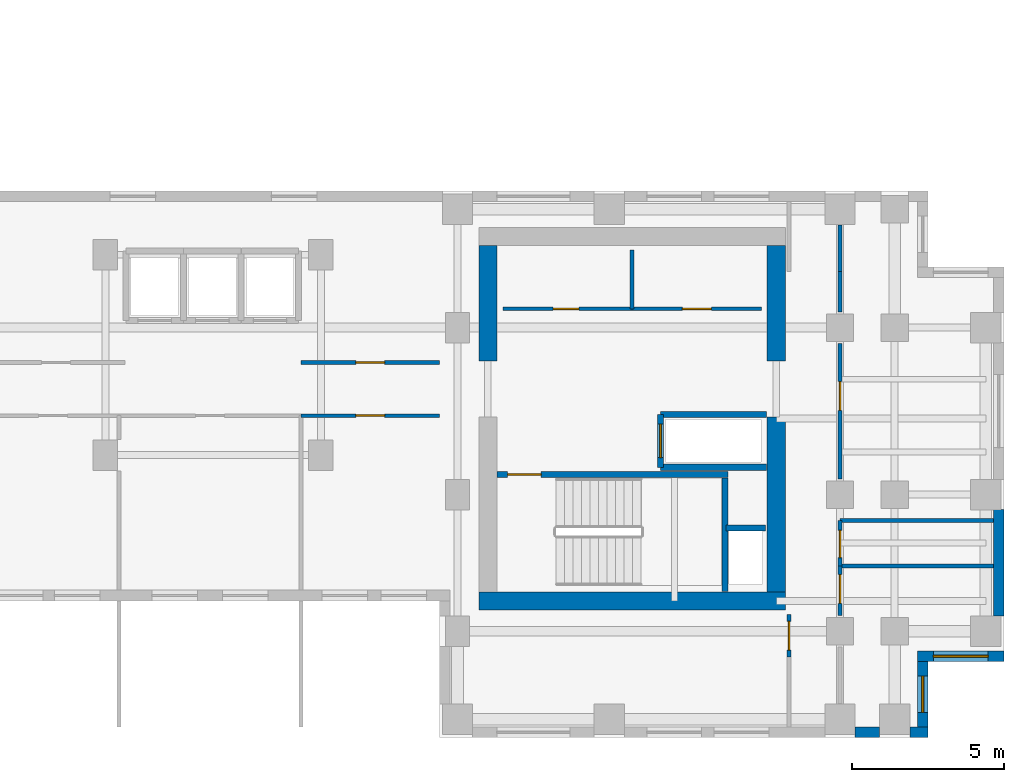
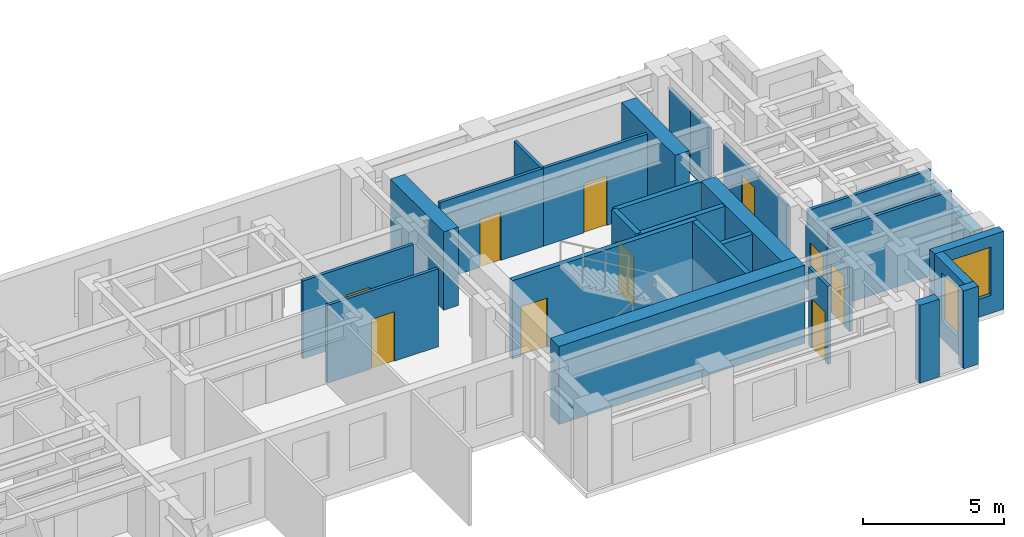
# One storey, part 7 of 11: 28 walls, 10 doors, 2 windows, 12 openings.
"""IFC4 building model written with IfcOpenShell, lengths in metres."""

from ifc_helpers import new_model, si_unit, direction, frame, frame_2d, origin, place, context, subcontext, project, spatial, rectangle, extrude, source, transform, mapped, material, layer, layer_set, type_object, element, fill, save


model = new_model("IFC4")

# Units and contexts
model_context = context("Model", 3, precision=1e-05, world=origin(), true_north=direction((0.0, 1.0)))
body_context = subcontext(model_context, "Body", "Model", "MODEL_VIEW")
ifc_project = project(units=[si_unit("LENGTHUNIT", "METRE"), si_unit("AREAUNIT", "SQUARE_METRE"), si_unit("VOLUMEUNIT", "CUBIC_METRE"), si_unit("PLANEANGLEUNIT", "RADIAN"), si_unit("MASSUNIT", "GRAM", prefix="KILO")], contexts=[model_context])

# Site, building, storey
site_placement = place(None, origin())
site = spatial("IfcSite", under=ifc_project, at=site_placement, CompositionType="ELEMENT")
building_placement = place(site_placement, origin())
building = spatial("IfcBuilding", under=site, at=building_placement, Name="Kharzan Plaza Tower", CompositionType="ELEMENT")
storey_placement = place(building_placement, frame((0.0, 0.0, 150.300048828125)))
storey = spatial("IfcBuildingStorey", under=building, at=storey_placement, Name="L40", CompositionType="ELEMENT", Elevation=150.300048828125)

# Wall, opening, window
ifc_material_1 = material(Name="Concrete C40/50", Category="concrete")
ifc_layer_1 = layer(ifc_material_1, 0.35009765625)
ifc_layer_set_1 = layer_set([ifc_layer_1], Name="Concrete C40/50")
wall_type_1 = type_object("IfcWallType", Name="WL-EXT-MAS-Z3", PredefinedType="SOLIDWALL", material=ifc_layer_set_1)
wall_1_placement = place(storey_placement, frame((50.324951171875, 0.347900390625, 0.0), z_axis=(0.0, 0.0, 1.0), x_axis=(0.0, 1.0, 0.0)))
wall_1 = element("IfcWall", 1, at=wall_1_placement, inside=storey, type_object=wall_type_1, Name="L40 Masonry-Frame Exterior Wall 33", PredefinedType="SOLIDWALL", context=body_context, shape_type="SweptSolid", body=[
    extrude(rectangle(XDim=2.154052734375, YDim=0.35009765625, at=frame_2d((1.0771484375, 0.0))), origin(), (0.0, 0.0, 1.0), 3.385009765625),
])
opening_1_placement = place(wall_1_placement, frame((0.47705078125, 0.0, 0.780029296875)))
opening_1 = element("IfcOpeningElement", 2, at=opening_1_placement, cuts=wall_1, Name="Opening W3", PredefinedType="OPENING", context=body_context, shape_type="SweptSolid", body=[
    extrude(rectangle(XDim=1.199951171875, YDim=2.10009765625, at=frame_2d((0.60009765625, 1.050048828125))), frame((0.0, 0.18505859375, 0.0), z_axis=(0.0, -1.0, 0.0), x_axis=(1.0, 0.0, 0.0)), (0.0, 0.0, 1.0), 0.3701171875),
])
ifc_material_2 = material(Name="Low-E Double Glazing", Category="glass")
window_type_1 = type_object("IfcWindowType", Name="WN-REC-1200x2100", PartitioningType="SINGLE_PANEL", PredefinedType="WINDOW", material=ifc_material_2)
shared_shape_1 = source(origin(), body_context, "Body", "SweptSolid", [
    extrude(rectangle(XDim=1.199951171875, YDim=2.10009765625, at=frame_2d((0.60009765625, 1.050048828125))), frame((0.0, 0.030029296875, 0.0), z_axis=(0.0, -1.0, 0.0), x_axis=(1.0, 0.0, 0.0)), (0.0, 0.0, 1.0), 0.06005859375),
])
window_1_placement = place(opening_1_placement, origin())
window_1 = element("IfcWindow", 3, at=window_1_placement, inside=storey, type_object=window_type_1, Name="L40 Recessed Solar-Control Window 33-1", OverallHeight=2.10009765625, OverallWidth=1.199951171875, PartitioningType="SINGLE_PANEL", PredefinedType="WINDOW", context=body_context, shape_type="MappedRepresentation", body=[
    mapped(shared_shape_1, transform((0.0, 0.0, 0.0), x_axis=(1.0, 0.0, 0.0), y_axis=(0.0, 1.0, 0.0), z_axis=(0.0, 0.0, 1.0))),
])
fill(opening_1, window_1)

wall_2_placement = place(storey_placement, frame((50.14990234375, 2.675048828125, 0.0), z_axis=(0.0, 0.0, 1.0), x_axis=(1.0, 0.0, 0.0)))
wall_2 = element("IfcWall", 4, at=wall_2_placement, inside=storey, type_object=wall_type_1, Name="L40 Masonry-Frame Exterior Wall 34", PredefinedType="SOLIDWALL", context=body_context, shape_type="SweptSolid", body=[
    extrude(rectangle(XDim=2.85009765625, YDim=0.35009765625, at=frame_2d((1.425048828125, 0.0))), origin(), (0.0, 0.0, 1.0), 3.385009765625),
])
opening_2_placement = place(wall_2_placement, frame((0.52490234375, 0.0, 0.780029296875)))
opening_2 = element("IfcOpeningElement", 5, at=opening_2_placement, cuts=wall_2, Name="Opening W1", PredefinedType="OPENING", context=body_context, shape_type="SweptSolid", body=[
    extrude(rectangle(XDim=1.800048828125, YDim=2.10009765625, at=frame_2d((0.89990234375, 1.050048828125))), frame((0.0, 0.18505859375, 0.0), z_axis=(0.0, -1.0, 0.0), x_axis=(1.0, 0.0, 0.0)), (0.0, 0.0, 1.0), 0.3701171875),
])
window_type_2 = type_object("IfcWindowType", Name="WN-REC-1800x2100", PartitioningType="SINGLE_PANEL", PredefinedType="WINDOW", material=ifc_material_2)
shared_shape_2 = source(origin(), body_context, "Body", "SweptSolid", [
    extrude(rectangle(XDim=1.800048828125, YDim=2.10009765625, at=frame_2d((0.89990234375, 1.050048828125))), frame((0.0, 0.030029296875, 0.0), z_axis=(0.0, -1.0, 0.0), x_axis=(1.0, 0.0, 0.0)), (0.0, 0.0, 1.0), 0.06005859375),
])
window_2_placement = place(opening_2_placement, origin())
window_2 = element("IfcWindow", 6, at=window_2_placement, inside=storey, type_object=window_type_2, Name="L40 Recessed Solar-Control Window 34-1", OverallHeight=2.10009765625, OverallWidth=1.800048828125, PartitioningType="SINGLE_PANEL", PredefinedType="WINDOW", context=body_context, shape_type="MappedRepresentation", body=[
    mapped(shared_shape_2, transform((0.0, 0.0, 0.0), x_axis=(1.0, 0.0, 0.0), y_axis=(0.0, 1.0, 0.0), z_axis=(0.0, 0.0, 1.0))),
])
fill(opening_2, window_2)

# Wall, opening, door
ifc_material_3 = material(Name="Fire-Rated Gypsum Board Partition", Category="gypsum")
ifc_layer_2 = layer(ifc_material_3, 0.125)
ifc_layer_set_2 = layer_set([ifc_layer_2], Name="Fire-Rated Gypsum Board Partition")
wall_type_2 = type_object("IfcWallType", Name="WL-INT-PART-125", PredefinedType="PARTITIONING", material=ifc_layer_set_2)
wall_3_placement = place(storey_placement, frame((36.5, 14.1201171875, 0.0), z_axis=(0.0, 0.0, 1.0), x_axis=(1.0, 0.0, 0.0)))
wall_3 = element("IfcWall", 7, at=wall_3_placement, inside=storey, type_object=wall_type_2, Name="L40 Interior Partition CB-RBLS1", PredefinedType="PARTITIONING", context=body_context, shape_type="SweptSolid", body=[
    extrude(rectangle(XDim=4.25, YDim=0.125, at=frame_2d((2.125, 0.0))), origin(), (0.0, 0.0, 1.0), 3.385009765625),
])
opening_3_placement = place(wall_3_placement, frame((1.64990234375, 0.0, 0.0)))
opening_3 = element("IfcOpeningElement", 8, at=opening_3_placement, cuts=wall_3, Name="Opening RD1", PredefinedType="OPENING", context=body_context, shape_type="SweptSolid", body=[
    extrude(rectangle(XDim=0.85009765625, YDim=2.10009765625, at=frame_2d((0.425048828125, 1.050048828125))), frame((0.0, 0.072509765625, 0.0), z_axis=(0.0, -1.0, 0.0), x_axis=(1.0, 0.0, 0.0)), (0.0, 0.0, 1.0), 0.14501953125),
])
ifc_material_4 = material(Name="Powder-Coated Fire-Rated Steel", Category="steel")
door_type_1 = type_object("IfcDoorType", Name="DR-RISER-900", OperationType="NOTDEFINED", PredefinedType="DOOR", material=ifc_material_4)
shared_shape_3 = source(origin(), body_context, "Body", "SweptSolid", [
    extrude(rectangle(XDim=0.85009765625, YDim=2.10009765625, at=frame_2d((0.425048828125, 1.050048828125))), frame((0.0, 0.02490234375, 0.0), z_axis=(0.0, -1.0, 0.0), x_axis=(1.0, 0.0, 0.0)), (0.0, 0.0, 1.0), 0.050048828125),
])
door_1_placement = place(opening_3_placement, origin())
door_1 = element("IfcDoor", 9, at=door_1_placement, inside=storey, type_object=door_type_1, Name="L40 Archive Room Door", OperationType="SINGLE_SWING_RIGHT", OverallHeight=2.10009765625, OverallWidth=0.85009765625, PredefinedType="DOOR", context=body_context, shape_type="MappedRepresentation", body=[
    mapped(shared_shape_3, transform((0.0, 0.0, 0.0), x_axis=(1.0, 0.0, 0.0), y_axis=(0.0, 1.0, 0.0), z_axis=(0.0, 0.0, 1.0))),
])
fill(opening_3, door_1)

wall_4_placement = place(storey_placement, frame((40.75, 14.1201171875, 0.0), z_axis=(0.0, 0.0, 1.0), x_axis=(1.0, 0.0, 0.0)))
wall_4 = element("IfcWall", 10, at=wall_4_placement, inside=storey, type_object=wall_type_2, Name="L40 Interior Partition CB-RBLS2", PredefinedType="PARTITIONING", context=body_context, shape_type="SweptSolid", body=[
    extrude(rectangle(XDim=4.27001953125, YDim=0.125, at=frame_2d((2.135009765625, 0.0))), origin(), (0.0, 0.0, 1.0), 3.385009765625),
])
opening_4_placement = place(wall_4_placement, frame((1.659912109375, 0.0, 0.0)))
opening_4 = element("IfcOpeningElement", 11, at=opening_4_placement, cuts=wall_4, Name="Opening OD1", PredefinedType="OPENING", context=body_context, shape_type="SweptSolid", body=[
    extrude(rectangle(XDim=0.949951171875, YDim=2.14990234375, at=frame_2d((0.47509765625, 1.074951171875))), frame((0.0, 0.072509765625, 0.0), z_axis=(0.0, -1.0, 0.0), x_axis=(1.0, 0.0, 0.0)), (0.0, 0.0, 1.0), 0.14501953125),
])
ifc_material_5 = material(Name="Acoustic Solid-Core Stained Oak", Category="timber")
door_type_2 = type_object("IfcDoorType", Name="DR-OFF-SINGLE", OperationType="NOTDEFINED", PredefinedType="DOOR", material=ifc_material_5)
shared_shape_4 = source(origin(), body_context, "Body", "SweptSolid", [
    extrude(rectangle(XDim=0.949951171875, YDim=2.14990234375, at=frame_2d((0.47509765625, 1.074951171875))), frame((0.0, 0.02490234375, 0.0), z_axis=(0.0, -1.0, 0.0), x_axis=(1.0, 0.0, 0.0)), (0.0, 0.0, 1.0), 0.050048828125),
])
door_2_placement = place(opening_4_placement, origin())
door_2 = element("IfcDoor", 12, at=door_2_placement, inside=storey, type_object=door_type_2, Name="L40 Print Room Door", OperationType="SINGLE_SWING_LEFT", OverallHeight=2.14990234375, OverallWidth=0.949951171875, PredefinedType="DOOR", context=body_context, shape_type="MappedRepresentation", body=[
    mapped(shared_shape_4, transform((0.0, 0.0, 0.0), x_axis=(1.0, 0.0, 0.0), y_axis=(0.0, 1.0, 0.0), z_axis=(0.0, 0.0, 1.0))),
])
fill(opening_4, door_2)

wall_5_placement = place(storey_placement, frame((47.60009765625, 4.02001953125, 0.0), z_axis=(0.0, 0.0, 1.0), x_axis=(0.0, 1.0, 0.0)))
wall_5 = element("IfcWall", 13, at=wall_5_placement, inside=storey, type_object=wall_type_2, Name="L40 Interior Partition SH-B0W0", PredefinedType="PARTITIONING", context=body_context, shape_type="SweptSolid", body=[
    extrude(rectangle(XDim=1.6298828125, YDim=0.125, at=frame_2d((0.81494140625, 0.0))), origin(), (0.0, 0.0, 1.0), 2.77294921875),
])
opening_5_placement = place(wall_5_placement, frame((0.393310546875, 0.0, 0.0)))
opening_5 = element("IfcOpeningElement", 14, at=opening_5_placement, cuts=wall_5, Name="Opening OD1", PredefinedType="OPENING", context=body_context, shape_type="SweptSolid", body=[
    extrude(rectangle(XDim=0.949951171875, YDim=2.14990234375, at=frame_2d((0.47509765625, 1.074951171875))), frame((0.0, 0.072509765625, 0.0), z_axis=(0.0, -1.0, 0.0), x_axis=(1.0, 0.0, 0.0)), (0.0, 0.0, 1.0), 0.14501953125),
])
door_3_placement = place(opening_5_placement, origin())
door_3 = element("IfcDoor", 15, at=door_3_placement, inside=storey, type_object=door_type_2, Name="L40 Wing B South Office Door", OperationType="SINGLE_SWING_RIGHT", OverallHeight=2.14990234375, OverallWidth=0.949951171875, PredefinedType="DOOR", context=body_context, shape_type="MappedRepresentation", body=[
    mapped(shared_shape_4, transform((0.0, 0.0, 0.0), x_axis=(1.0, 0.0, 0.0), y_axis=(0.0, 1.0, 0.0), z_axis=(0.0, 0.0, 1.0))),
])
fill(opening_5, door_3)

wall_6_placement = place(storey_placement, frame((47.60009765625, 8.52001953125, 0.0), z_axis=(0.0, 0.0, 1.0), x_axis=(0.0, 1.0, 0.0)))
wall_6 = element("IfcWall", 16, at=wall_6_placement, inside=storey, type_object=wall_type_2, Name="L40 Interior Partition SH-B0W1-S1", PredefinedType="PARTITIONING", context=body_context, shape_type="SweptSolid", body=[
    extrude(rectangle(XDim=4.4599609375, YDim=0.125, at=frame_2d((2.22998046875, 0.0))), origin(), (0.0, 0.0, 1.0), 2.77294921875),
])
opening_6_placement = place(wall_6_placement, frame((2.2548828125, 0.0, 0.0)))
opening_6 = element("IfcOpeningElement", 17, at=opening_6_placement, cuts=wall_6, Name="Opening OD1", PredefinedType="OPENING", context=body_context, shape_type="SweptSolid", body=[
    extrude(rectangle(XDim=0.949951171875, YDim=2.14990234375, at=frame_2d((0.47509765625, 1.074951171875))), frame((0.0, 0.072509765625, 0.0), z_axis=(0.0, -1.0, 0.0), x_axis=(1.0, 0.0, 0.0)), (0.0, 0.0, 1.0), 0.14501953125),
])
door_4_placement = place(opening_6_placement, origin())
door_4 = element("IfcDoor", 18, at=door_4_placement, inside=storey, type_object=door_type_2, Name="L40 Open Engineering Workspace Door", OperationType="SINGLE_SWING_RIGHT", OverallHeight=2.14990234375, OverallWidth=0.949951171875, PredefinedType="DOOR", context=body_context, shape_type="MappedRepresentation", body=[
    mapped(shared_shape_4, transform((0.0, 0.0, 0.0), x_axis=(1.0, 0.0, 0.0), y_axis=(0.0, 1.0, 0.0), z_axis=(0.0, 0.0, 1.0))),
])
fill(opening_6, door_4)

wall_7_placement = place(storey_placement, frame((47.60009765625, 5.64990234375, 0.0), z_axis=(0.0, 0.0, 1.0), x_axis=(0.0, 1.0, 0.0)))
wall_7 = element("IfcWall", 19, at=wall_7_placement, inside=storey, type_object=wall_type_2, Name="L40 Interior Partition SH-B0WC", PredefinedType="PARTITIONING", context=body_context, shape_type="SweptSolid", body=[
    extrude(rectangle(XDim=1.5, YDim=0.125, at=frame_2d((0.75, 0.0))), origin(), (0.0, 0.0, 1.0), 2.77294921875),
])
opening_7_placement = place(wall_7_placement, frame((0.27490234375, 0.0, 0.0)))
opening_7 = element("IfcOpeningElement", 20, at=opening_7_placement, cuts=wall_7, Name="Opening WD1", PredefinedType="OPENING", context=body_context, shape_type="SweptSolid", body=[
    extrude(rectangle(XDim=0.89990234375, YDim=2.14990234375, at=frame_2d((0.449951171875, 1.074951171875))), frame((0.0, 0.072509765625, 0.0), z_axis=(0.0, -1.0, 0.0), x_axis=(1.0, 0.0, 0.0)), (0.0, 0.0, 1.0), 0.14501953125),
])
ifc_material_6 = material(Name="Moisture-Resistant Fire-Rated Laminate", Category="timber")
door_type_3 = type_object("IfcDoorType", Name="DR-WC-900", OperationType="NOTDEFINED", PredefinedType="DOOR", material=ifc_material_6)
shared_shape_5 = source(origin(), body_context, "Body", "SweptSolid", [
    extrude(rectangle(XDim=0.89990234375, YDim=2.14990234375, at=frame_2d((0.449951171875, 1.074951171875))), frame((0.0, 0.02490234375, 0.0), z_axis=(0.0, -1.0, 0.0), x_axis=(1.0, 0.0, 0.0)), (0.0, 0.0, 1.0), 0.050048828125),
])
door_5_placement = place(opening_7_placement, origin())
door_5 = element("IfcDoor", 21, at=door_5_placement, inside=storey, type_object=door_type_3, Name="L40 Wing B Washroom Door", OperationType="SINGLE_SWING_LEFT", OverallHeight=2.14990234375, OverallWidth=0.89990234375, PredefinedType="DOOR", context=body_context, shape_type="MappedRepresentation", body=[
    mapped(shared_shape_5, transform((0.0, 0.0, 0.0), x_axis=(1.0, 0.0, 0.0), y_axis=(0.0, 1.0, 0.0), z_axis=(0.0, 0.0, 1.0))),
])
fill(opening_7, door_5)

wall_8_placement = place(storey_placement, frame((45.919921875, 2.64990234375, 0.0), z_axis=(0.0, 0.0, 1.0), x_axis=(0.0, 1.0, 0.0)))
wall_8 = element("IfcWall", 22, at=wall_8_placement, inside=storey, type_object=wall_type_2, Name="L40 Interior Partition SH-RBSE", PredefinedType="PARTITIONING", context=body_context, shape_type="SweptSolid", body=[
    extrude(rectangle(XDim=1.400146484375, YDim=0.125, at=frame_2d((0.7001953125, 0.0))), origin(), (0.0, 0.0, 1.0), 3.385009765625),
])
opening_8_placement = place(wall_8_placement, frame((0.22509765625, 0.0, 0.0)))
opening_8 = element("IfcOpeningElement", 23, at=opening_8_placement, cuts=wall_8, Name="Opening OD1", PredefinedType="OPENING", context=body_context, shape_type="SweptSolid", body=[
    extrude(rectangle(XDim=0.949951171875, YDim=2.14990234375, at=frame_2d((0.47509765625, 1.074951171875))), frame((0.0, 0.072509765625, 0.0), z_axis=(0.0, -1.0, 0.0), x_axis=(1.0, 0.0, 0.0)), (0.0, 0.0, 1.0), 0.14501953125),
])
door_6_placement = place(opening_8_placement, origin())
door_6 = element("IfcDoor", 24, at=door_6_placement, inside=storey, type_object=door_type_2, Name="L40 South-East Corner Office Door", OperationType="SINGLE_SWING_LEFT", OverallHeight=2.14990234375, OverallWidth=0.949951171875, PredefinedType="DOOR", context=body_context, shape_type="MappedRepresentation", body=[
    mapped(shared_shape_4, transform((0.0, 0.0, 0.0), x_axis=(1.0, 0.0, 0.0), y_axis=(0.0, 1.0, 0.0), z_axis=(0.0, 0.0, 1.0))),
])
fill(opening_8, door_6)

wall_9_placement = place(storey_placement, frame((29.85009765625, 12.35009765625, 0.0), z_axis=(0.0, 0.0, 1.0), x_axis=(1.0, 0.0, 0.0)))
wall_9 = element("IfcWall", 25, at=wall_9_placement, inside=storey, type_object=wall_type_2, Name="L40 Interior Partition SH-SPNE1", PredefinedType="PARTITIONING", context=body_context, shape_type="SweptSolid", body=[
    extrude(rectangle(XDim=4.5498046875, YDim=0.125, at=frame_2d((2.27490234375, 0.0))), origin(), (0.0, 0.0, 1.0), 3.385009765625),
])
opening_9_placement = place(wall_9_placement, frame((1.800048828125, 0.0, 0.0)))
opening_9 = element("IfcOpeningElement", 26, at=opening_9_placement, cuts=wall_9, Name="Opening OD1", PredefinedType="OPENING", context=body_context, shape_type="SweptSolid", body=[
    extrude(rectangle(XDim=0.949951171875, YDim=2.14990234375, at=frame_2d((0.47509765625, 1.074951171875))), frame((0.0, 0.072509765625, 0.0), z_axis=(0.0, -1.0, 0.0), x_axis=(1.0, 0.0, 0.0)), (0.0, 0.0, 1.0), 0.14501953125),
])
door_7_placement = place(opening_9_placement, origin())
door_7 = element("IfcDoor", 27, at=door_7_placement, inside=storey, type_object=door_type_2, Name="L40 North-East Spine Door", OperationType="SINGLE_SWING_RIGHT", OverallHeight=2.14990234375, OverallWidth=0.949951171875, PredefinedType="DOOR", context=body_context, shape_type="MappedRepresentation", body=[
    mapped(shared_shape_4, transform((0.0, 0.0, 0.0), x_axis=(1.0, 0.0, 0.0), y_axis=(0.0, 1.0, 0.0), z_axis=(0.0, 0.0, 1.0))),
])
fill(opening_9, door_7)

wall_10_placement = place(storey_placement, frame((29.85009765625, 10.60009765625, 0.0), z_axis=(0.0, 0.0, 1.0), x_axis=(1.0, 0.0, 0.0)))
wall_10 = element("IfcWall", 28, at=wall_10_placement, inside=storey, type_object=wall_type_2, Name="L40 Interior Partition SH-SPS3", PredefinedType="PARTITIONING", context=body_context, shape_type="SweptSolid", body=[
    extrude(rectangle(XDim=4.5498046875, YDim=0.125, at=frame_2d((2.27490234375, 0.0))), origin(), (0.0, 0.0, 1.0), 3.385009765625),
])
opening_10_placement = place(wall_10_placement, frame((1.800048828125, 0.0, 0.0)))
opening_10 = element("IfcOpeningElement", 29, at=opening_10_placement, cuts=wall_10, Name="Opening OD1", PredefinedType="OPENING", context=body_context, shape_type="SweptSolid", body=[
    extrude(rectangle(XDim=0.949951171875, YDim=2.14990234375, at=frame_2d((0.47509765625, 1.074951171875))), frame((0.0, 0.072509765625, 0.0), z_axis=(0.0, -1.0, 0.0), x_axis=(1.0, 0.0, 0.0)), (0.0, 0.0, 1.0), 0.14501953125),
])
door_8_placement = place(opening_10_placement, origin())
door_8 = element("IfcDoor", 30, at=door_8_placement, inside=storey, type_object=door_type_2, Name="L40 Spine Studio 3 Door", OperationType="SINGLE_SWING_RIGHT", OverallHeight=2.14990234375, OverallWidth=0.949951171875, PredefinedType="DOOR", context=body_context, shape_type="MappedRepresentation", body=[
    mapped(shared_shape_4, transform((0.0, 0.0, 0.0), x_axis=(1.0, 0.0, 0.0), y_axis=(0.0, 1.0, 0.0), z_axis=(0.0, 0.0, 1.0))),
])
fill(opening_10, door_8)

ifc_layer_3 = layer(ifc_material_1, 0.199951171875)
ifc_layer_set_3 = layer_set([ifc_layer_3], Name="Concrete C40/50")
wall_type_3 = type_object("IfcWallType", Name="WL-INT-SHAFT-200", PredefinedType="PARTITIONING", material=ifc_layer_set_3)
wall_11_placement = place(storey_placement, frame((41.679931640625, 8.89990234375, 0.0), z_axis=(0.0, 0.0, 1.0), x_axis=(0.0, 1.0, 0.0)))
wall_11 = element("IfcWall", 31, at=wall_11_placement, inside=storey, type_object=wall_type_3, Name="L40 Interior Partition SHF-SVL-2-W", PredefinedType="PARTITIONING", context=body_context, shape_type="SweptSolid", body=[
    extrude(rectangle(XDim=1.739990234375, YDim=0.199951171875, at=frame_2d((0.8701171875, 0.0))), origin(), (0.0, 0.0, 1.0), 3.385009765625),
])
opening_11_placement = place(wall_11_placement, frame((0.320068359375, 0.0, 0.0)))
opening_11 = element("IfcOpeningElement", 32, at=opening_11_placement, cuts=wall_11, Name="Opening LD", PredefinedType="OPENING", context=body_context, shape_type="SweptSolid", body=[
    extrude(rectangle(XDim=1.10009765625, YDim=2.199951171875, at=frame_2d((0.550048828125, 1.10009765625))), frame((0.0, 0.10986328125, 0.0), z_axis=(0.0, -1.0, 0.0), x_axis=(1.0, 0.0, 0.0)), (0.0, 0.0, 1.0), 0.219970703125),
])
ifc_material_7 = material(Name="Brushed Stainless Steel", Category="steel")
door_type_4 = type_object("IfcDoorType", Name="DR-LIFT-SLIDE", OperationType="SLIDING_TO_LEFT", PredefinedType="DOOR", material=ifc_material_7)
shared_shape_6 = source(origin(), body_context, "Body", "SweptSolid", [
    extrude(rectangle(XDim=1.10009765625, YDim=2.199951171875, at=frame_2d((0.550048828125, 1.10009765625))), frame((0.0, 0.02490234375, 0.0), z_axis=(0.0, -1.0, 0.0), x_axis=(1.0, 0.0, 0.0)), (0.0, 0.0, 1.0), 0.050048828125),
])
door_9_placement = place(opening_11_placement, origin())
door_9 = element("IfcDoor", 33, at=door_9_placement, inside=storey, type_object=door_type_4, Name="L40 Service Lift SVL-2 Sliding Landing Door", OperationType="SLIDING_TO_LEFT", OverallHeight=2.199951171875, OverallWidth=1.10009765625, PredefinedType="DOOR", context=body_context, shape_type="MappedRepresentation", body=[
    mapped(shared_shape_6, transform((0.0, 0.0, 0.0), x_axis=(1.0, 0.0, 0.0), y_axis=(0.0, 1.0, 0.0), z_axis=(0.0, 0.0, 1.0))),
])
fill(opening_11, door_9)

ifc_material_8 = material(Name="Concrete C50/60", Category="concrete")
ifc_layer_4 = layer(ifc_material_8, 0.199951171875)
ifc_layer_set_4 = layer_set([ifc_layer_4], Name="Concrete C50/60")
wall_type_4 = type_object("IfcWallType", Name="WL-SHAFT-RC200", PredefinedType="SHEAR", material=ifc_layer_set_4)
wall_12_placement = place(storey_placement, frame((36.302001953125, 8.655029296875, 0.0), z_axis=(0.0, 0.0, 1.0), x_axis=(1.0, 0.0, 0.0)))
wall_12 = element("IfcWall", 34, at=wall_12_placement, inside=storey, type_object=wall_type_4, Name="L40 Stair ST-3 North RC Shaft Wall", PredefinedType="SHEAR", context=body_context, shape_type="SweptSolid", body=[
    extrude(rectangle(XDim=7.60302734375, YDim=0.199951171875, at=frame_2d((3.801513671875, 0.0))), origin(), (0.0, 0.0, 1.0), 3.39990234375),
])
opening_12_placement = place(wall_12_placement, frame((0.35009765625, 0.0, 0.0)))
opening_12 = element("IfcOpeningElement", 35, at=opening_12_placement, cuts=wall_12, Name="Opening SD1", PredefinedType="OPENING", context=body_context, shape_type="SweptSolid", body=[
    extrude(rectangle(XDim=1.10009765625, YDim=2.14990234375, at=frame_2d((0.550048828125, 1.074951171875))), frame((0.0, 0.10986328125, 0.0), z_axis=(0.0, -1.0, 0.0), x_axis=(1.0, 0.0, 0.0)), (0.0, 0.0, 1.0), 0.219970703125),
])
ifc_material_9 = material(Name="Fire-Rated Hollow Galvanized Steel", Category="steel")
door_type_5 = type_object("IfcDoorType", Name="DR-STAIR-FD120", OperationType="NOTDEFINED", PredefinedType="DOOR", material=ifc_material_9)
shared_shape_7 = source(origin(), body_context, "Body", "SweptSolid", [
    extrude(rectangle(XDim=1.10009765625, YDim=2.14990234375, at=frame_2d((0.550048828125, 1.074951171875))), frame((0.0, 0.02490234375, 0.0), z_axis=(0.0, -1.0, 0.0), x_axis=(1.0, 0.0, 0.0)), (0.0, 0.0, 1.0), 0.050048828125),
])
door_10_placement = place(opening_12_placement, origin())
door_10 = element("IfcDoor", 36, at=door_10_placement, inside=storey, type_object=door_type_5, Name="L40 Stair ST-3 Fire Exit Door", OperationType="SINGLE_SWING_LEFT", OverallHeight=2.14990234375, OverallWidth=1.10009765625, PredefinedType="DOOR", context=body_context, shape_type="MappedRepresentation", body=[
    mapped(shared_shape_7, transform((0.0, 0.0, 0.0), x_axis=(1.0, 0.0, 0.0), y_axis=(0.0, 1.0, 0.0), z_axis=(0.0, 0.0, 1.0))),
])
fill(opening_12, door_10)

# Walls
ifc_layer_5 = layer(ifc_material_8, 0.60009765625)
ifc_layer_set_5 = layer_set([ifc_layer_5], Name="Concrete C50/60")
wall_type_5 = type_object("IfcWallType", Name="WL-CORE-600", PredefinedType="SHEAR", material=ifc_layer_set_5)
shared_shape_8 = source(origin(), body_context, "Body", "SweptSolid", [
    extrude(rectangle(XDim=5.75, YDim=0.60009765625, at=frame_2d((2.875, 0.0))), origin(), (0.0, 0.0, 1.0), 3.39990234375),
])
wall_13_placement = place(storey_placement, frame((45.5, 4.800048828125, 0.0), z_axis=(0.0, 0.0, 1.0), x_axis=(0.0, 1.0, 0.0)))
element("IfcWall", 37, at=wall_13_placement, inside=storey, type_object=wall_type_5, Name="L40 CORE-B east shear pier 1", PredefinedType="SHEAR", context=body_context, shape_type="MappedRepresentation", body=[
    mapped(shared_shape_8, transform((0.0, 0.0, 0.0), x_axis=(1.0, 0.0, 0.0), y_axis=(0.0, 1.0, 0.0), z_axis=(0.0, 0.0, 1.0))),
])
shared_shape_9 = source(origin(), body_context, "Body", "SweptSolid", [
    extrude(rectangle(XDim=3.800048828125, YDim=0.60009765625, at=frame_2d((1.89990234375, 0.0))), origin(), (0.0, 0.0, 1.0), 3.39990234375),
])
for number, where, z_axis, x_axis, name in (
    (38, (45.5, 12.39990234375, 0.0), (0.0, 0.0, 1.0), (0.0, 1.0, 0.0), "L40 CORE-B east shear pier 2"),
    (39, (36.0, 12.39990234375, 0.0), (0.0, 0.0, 1.0), (0.0, 1.0, 0.0), "L40 CORE-B west shear pier 2"),
):
    element("IfcWall", number, at=place(storey_placement, frame(where, z_axis=z_axis, x_axis=x_axis)), inside=storey, type_object=wall_type_5, Name=name, PredefinedType="SHEAR", context=body_context, shape_type="MappedRepresentation", body=[
        mapped(shared_shape_9, transform((0.0, 0.0, 0.0), x_axis=(1.0, 0.0, 0.0), y_axis=(0.0, 1.0, 0.0), z_axis=(0.0, 0.0, 1.0))),
    ])
shared_shape_10 = source(origin(), body_context, "Body", "SweptSolid", [
    extrude(rectangle(XDim=10.10009765625, YDim=0.60009765625, at=frame_2d((5.050048828125, 0.0))), origin(), (0.0, 0.0, 1.0), 3.39990234375),
])
wall_14_placement = place(storey_placement, frame((35.699951171875, 4.5, 0.0), z_axis=(0.0, 0.0, 1.0), x_axis=(1.0, 0.0, 0.0)))
element("IfcWall", 40, at=wall_14_placement, inside=storey, type_object=wall_type_5, Name="L40 CORE-B south RC shear wall", PredefinedType="SHEAR", context=body_context, shape_type="MappedRepresentation", body=[
    mapped(shared_shape_10, transform((0.0, 0.0, 0.0), x_axis=(1.0, 0.0, 0.0), y_axis=(0.0, 1.0, 0.0), z_axis=(0.0, 0.0, 1.0))),
])
shared_shape_11 = source(origin(), body_context, "Body", "SweptSolid", [
    extrude(rectangle(XDim=0.80419921875, YDim=0.35009765625, at=frame_2d((0.402099609375, 0.0))), origin(), (0.0, 0.0, 1.0), 3.385009765625),
])
wall_15_placement = place(storey_placement, frame((48.097900390625, 0.175048828125, 0.0), z_axis=(0.0, 0.0, 1.0), x_axis=(1.0, 0.0, 0.0)))
element("IfcWall", 41, at=wall_15_placement, inside=storey, type_object=wall_type_1, Name="L40 Masonry-Frame Exterior Wall 31", PredefinedType="SOLIDWALL", context=body_context, shape_type="MappedRepresentation", body=[
    mapped(shared_shape_11, transform((0.0, 0.0, 0.0), x_axis=(1.0, 0.0, 0.0), y_axis=(0.0, 1.0, 0.0), z_axis=(0.0, 0.0, 1.0))),
])
shared_shape_12 = source(origin(), body_context, "Body", "SweptSolid", [
    extrude(rectangle(XDim=0.60205078125, YDim=0.35009765625, at=frame_2d((0.301025390625, 0.0))), origin(), (0.0, 0.0, 1.0), 3.385009765625),
])
wall_16_placement = place(storey_placement, frame((49.89794921875, 0.175048828125, 0.0), z_axis=(0.0, 0.0, 1.0), x_axis=(1.0, 0.0, 0.0)))
element("IfcWall", 42, at=wall_16_placement, inside=storey, type_object=wall_type_1, Name="L40 Masonry-Frame Exterior Wall 32", PredefinedType="SOLIDWALL", context=body_context, shape_type="MappedRepresentation", body=[
    mapped(shared_shape_12, transform((0.0, 0.0, 0.0), x_axis=(1.0, 0.0, 0.0), y_axis=(0.0, 1.0, 0.0), z_axis=(0.0, 0.0, 1.0))),
])
shared_shape_13 = source(origin(), body_context, "Body", "SweptSolid", [
    extrude(rectangle(XDim=1.929931640625, YDim=0.125, at=frame_2d((0.96484375, 0.0))), origin(), (0.0, 0.0, 1.0), 3.385009765625),
])
wall_17_placement = place(storey_placement, frame((40.75, 14.1201171875, 0.0), z_axis=(0.0, 0.0, 1.0), x_axis=(0.0, 1.0, 0.0)))
element("IfcWall", 43, at=wall_17_placement, inside=storey, type_object=wall_type_2, Name="L40 Interior Partition CB-RBLM1", PredefinedType="PARTITIONING", context=body_context, shape_type="MappedRepresentation", body=[
    mapped(shared_shape_13, transform((0.0, 0.0, 0.0), x_axis=(1.0, 0.0, 0.0), y_axis=(0.0, 1.0, 0.0), z_axis=(0.0, 0.0, 1.0))),
])
shared_shape_14 = source(origin(), body_context, "Body", "SweptSolid", [
    extrude(rectangle(XDim=5.0478515625, YDim=0.125, at=frame_2d((2.52392578125, 0.0))), origin(), (0.0, 0.0, 1.0), 3.385009765625),
])
for number, where, z_axis, x_axis, name in (
    (44, (47.60009765625, 5.64990234375, 0.0), (0.0, 0.0, 1.0), (1.0, 0.0, 0.0), "L40 Interior Partition SH-B0H1"),
    (45, (47.60009765625, 7.14990234375, 0.0), (0.0, 0.0, 1.0), (1.0, 0.0, 0.0), "L40 Interior Partition SH-B0H2"),
):
    element("IfcWall", number, at=place(storey_placement, frame(where, z_axis=z_axis, x_axis=x_axis)), inside=storey, type_object=wall_type_2, Name=name, PredefinedType="PARTITIONING", context=body_context, shape_type="MappedRepresentation", body=[
        mapped(shared_shape_14, transform((0.0, 0.0, 0.0), x_axis=(1.0, 0.0, 0.0), y_axis=(0.0, 1.0, 0.0), z_axis=(0.0, 0.0, 1.0))),
    ])
shared_shape_15 = source(origin(), body_context, "Body", "SweptSolid", [
    extrude(rectangle(XDim=1.52978515625, YDim=0.125, at=frame_2d((0.764892578125, 0.0))), origin(), (0.0, 0.0, 1.0), 2.77294921875),
])
wall_18_placement = place(storey_placement, frame((47.60009765625, 15.35009765625, 0.0), z_axis=(0.0, 0.0, 1.0), x_axis=(0.0, 1.0, 0.0)))
element("IfcWall", 46, at=wall_18_placement, inside=storey, type_object=wall_type_2, Name="L40 Interior Partition SH-B0W1N", PredefinedType="PARTITIONING", context=body_context, shape_type="MappedRepresentation", body=[
    mapped(shared_shape_15, transform((0.0, 0.0, 0.0), x_axis=(1.0, 0.0, 0.0), y_axis=(0.0, 1.0, 0.0), z_axis=(0.0, 0.0, 1.0))),
])
shared_shape_16 = source(origin(), body_context, "Body", "SweptSolid", [
    extrude(rectangle(XDim=1.2998046875, YDim=0.199951171875, at=frame_2d((0.64990234375, 0.0))), origin(), (0.0, 0.0, 1.0), 3.385009765625),
])
wall_19_placement = place(storey_placement, frame((43.85009765625, 6.89990234375, 0.0), z_axis=(0.0, 0.0, 1.0), x_axis=(1.0, 0.0, 0.0)))
element("IfcWall", 47, at=wall_19_placement, inside=storey, type_object=wall_type_3, Name="L40 Interior Partition CB-RSRB-N", PredefinedType="PARTITIONING", context=body_context, shape_type="MappedRepresentation", body=[
    mapped(shared_shape_16, transform((0.0, 0.0, 0.0), x_axis=(1.0, 0.0, 0.0), y_axis=(0.0, 1.0, 0.0), z_axis=(0.0, 0.0, 1.0))),
])
shared_shape_17 = source(origin(), body_context, "Body", "SweptSolid", [
    extrude(rectangle(XDim=3.489990234375, YDim=0.199951171875, at=frame_2d((1.7451171875, 0.0))), origin(), (0.0, 0.0, 1.0), 3.385009765625),
])
for number, where, z_axis, x_axis, name in (
    (48, (41.679931640625, 10.639892578125, 0.0), (0.0, 0.0, 1.0), (1.0, 0.0, 0.0), "L40 Interior Partition SHF-SVL-2-N"),
    (49, (41.679931640625, 8.89990234375, 0.0), (0.0, 0.0, 1.0), (1.0, 0.0, 0.0), "L40 Interior Partition SHF-SVL-2-S"),
):
    element("IfcWall", number, at=place(storey_placement, frame(where, z_axis=z_axis, x_axis=x_axis)), inside=storey, type_object=wall_type_3, Name=name, PredefinedType="PARTITIONING", context=body_context, shape_type="MappedRepresentation", body=[
        mapped(shared_shape_17, transform((0.0, 0.0, 0.0), x_axis=(1.0, 0.0, 0.0), y_axis=(0.0, 1.0, 0.0), z_axis=(0.0, 0.0, 1.0))),
    ])
shared_shape_18 = source(origin(), body_context, "Body", "SweptSolid", [
    extrude(rectangle(XDim=3.7529296875, YDim=0.199951171875, at=frame_2d((1.87646484375, 0.0))), origin(), (0.0, 0.0, 1.0), 3.39990234375),
])
wall_20_placement = place(storey_placement, frame((43.804931640625, 4.802001953125, 0.0), z_axis=(0.0, 0.0, 1.0), x_axis=(0.0, 1.0, 0.0)))
element("IfcWall", 50, at=wall_20_placement, inside=storey, type_object=wall_type_4, Name="L40 Stair ST-3 East RC Shaft Wall", PredefinedType="SHEAR", context=body_context, shape_type="MappedRepresentation", body=[
    mapped(shared_shape_18, transform((0.0, 0.0, 0.0), x_axis=(1.0, 0.0, 0.0), y_axis=(0.0, 1.0, 0.0), z_axis=(0.0, 0.0, 1.0))),
])
shared_shape_19 = source(origin(), body_context, "Body", "SweptSolid", [
    extrude(rectangle(XDim=3.50390625, YDim=0.35009765625, at=frame_2d((1.751953125, 0.0))), origin(), (0.0, 0.0, 1.0), 2.612060546875),
])
wall_21_placement = place(storey_placement, frame((52.824951171875, 3.998046875, 0.0), z_axis=(0.0, 0.0, 1.0), x_axis=(0.0, 1.0, 0.0)))
element("IfcWall", 51, at=wall_21_placement, inside=storey, type_object=wall_type_1, Name="L40 Masonry-Frame Exterior Wall 35", PredefinedType="SOLIDWALL", context=body_context, shape_type="MappedRepresentation", body=[
    mapped(shared_shape_19, transform((0.0, 0.0, 0.0), x_axis=(1.0, 0.0, 0.0), y_axis=(0.0, 1.0, 0.0), z_axis=(0.0, 0.0, 1.0))),
])
shared_shape_20 = source(origin(), body_context, "Body", "SweptSolid", [
    extrude(rectangle(XDim=1.330078125, YDim=0.125, at=frame_2d((0.6650390625, 0.0))), origin(), (0.0, 0.0, 1.0), 2.77294921875),
])
wall_22_placement = place(storey_placement, frame((47.60009765625, 14.02001953125, 0.0), z_axis=(0.0, 0.0, 1.0), x_axis=(0.0, 1.0, 0.0)))
element("IfcWall", 52, at=wall_22_placement, inside=storey, type_object=wall_type_2, Name="L40 Interior Partition SH-B0W1-S2", PredefinedType="PARTITIONING", context=body_context, shape_type="MappedRepresentation", body=[
    mapped(shared_shape_20, transform((0.0, 0.0, 0.0), x_axis=(1.0, 0.0, 0.0), y_axis=(0.0, 1.0, 0.0), z_axis=(0.0, 0.0, 1.0))),
])

save(model, "model.ifc")
